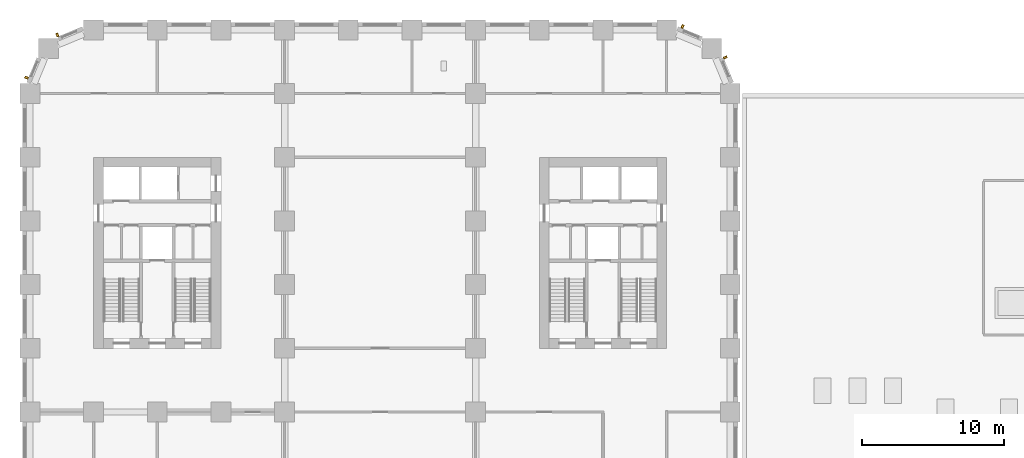
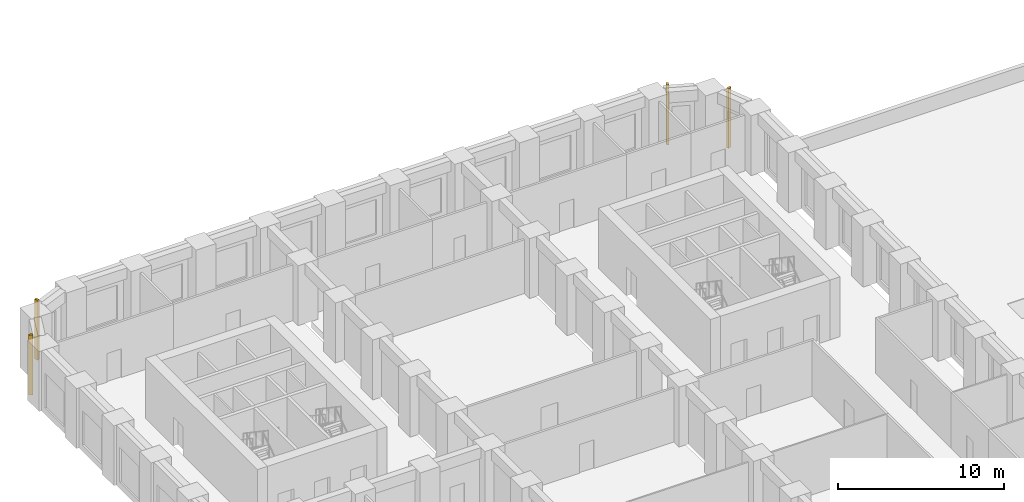
# One storey, part 11 of 14: 4 shading devices.
"""IFC4 building model written with IfcOpenShell, lengths in metres."""

from ifc_helpers import new_model, si_unit, direction, frame, origin, origin_2d, place, context, subcontext, project, spatial, rectangle, extrude, material, type_object, element, save


model = new_model("IFC4")

# Units and contexts
model_context = context("Model", 3, precision=1e-05, world=origin(), true_north=direction((0.0, 1.0)))
body_context = subcontext(model_context, "Body", "Model", "MODEL_VIEW")
ifc_project = project(units=[si_unit("LENGTHUNIT", "METRE"), si_unit("AREAUNIT", "SQUARE_METRE"), si_unit("VOLUMEUNIT", "CUBIC_METRE"), si_unit("PLANEANGLEUNIT", "RADIAN"), si_unit("MASSUNIT", "GRAM", prefix="KILO")], contexts=[model_context])

# Site, building, storey
site_placement = place(None, origin())
site = spatial("IfcSite", under=ifc_project, at=site_placement, CompositionType="ELEMENT")
building_placement = place(site_placement, origin())
building = spatial("IfcBuilding", under=site, at=building_placement, Name="Girih Gate Residences", CompositionType="ELEMENT")
storey_placement = place(building_placement, frame((0.0, 0.0, 26.0)))
storey = spatial("IfcBuildingStorey", under=building, at=storey_placement, Name="L05", CompositionType="ELEMENT", Elevation=26.0)

# Shading devices
ifc_material = material(Name="Precast concrete C50/60", Category="concrete")
shading_device_type = type_object("IfcShadingDeviceType", Name="Corner rib 150x250", PredefinedType="USERDEFINED", material=ifc_material)
for number, where, z_axis, x_axis, name in (
    (1, (49.14501953125, 47.5556640625, 0.0), (0.0, 0.0, 1.0), (-0.382683432365, 0.923879532511, 0.0), "Corner rib NE0495_0450.0"),
    (2, (46.123779296875, 49.738037109375, 0.0), (0.0, 0.0, 1.0), (-0.923879532511, 0.382683432365, 0.0), "Corner rib NE0482_0482.0"),
    (3, (1.9443359375, 49.14501953125, 0.0), (0.0, 0.0, 1.0), (-0.923879532511, -0.382683432365, 0.0), "Corner rib NW0045_0495.0"),
    (4, (-0.238037109375, 46.123779296875, 0.0), (0.0, 0.0, 1.0), (-0.382683432365, -0.923879532511, 0.0), "Corner rib NW0013_0482.0"),
):
    element("IfcShadingDevice", number, at=place(storey_placement, frame(where, z_axis=z_axis, x_axis=x_axis)), inside=storey, type_object=shading_device_type, Name=name, ObjectType="FIN", PredefinedType="USERDEFINED", context=body_context, shape_type="SweptSolid", body=[
        extrude(rectangle(XDim=0.14990234375, YDim=0.25, at=origin_2d()), origin(), (0.0, 0.0, 1.0), 4.39990234375),
    ])

save(model, "model.ifc")
